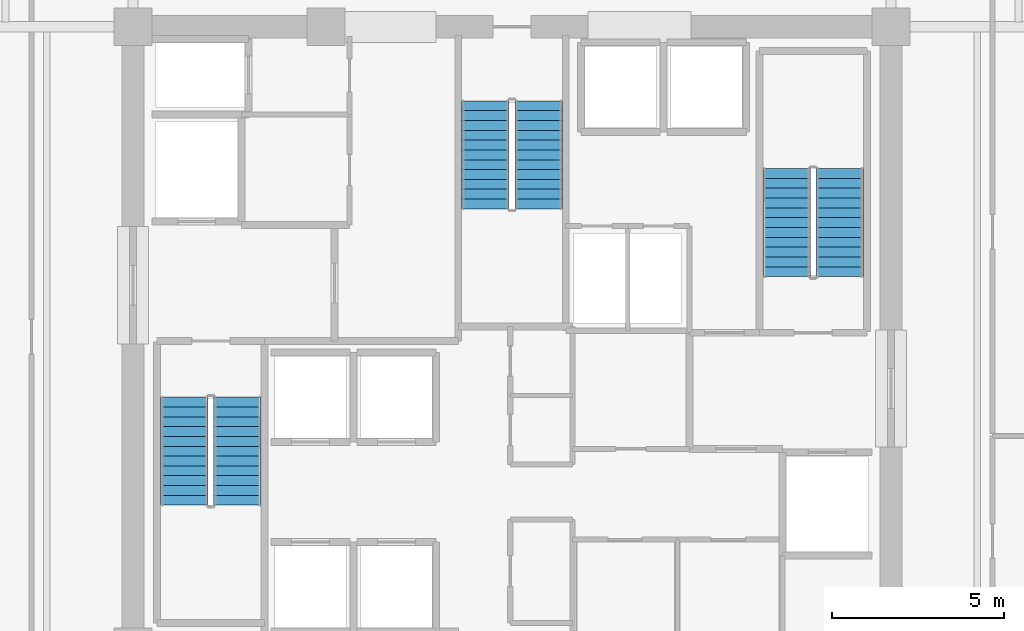
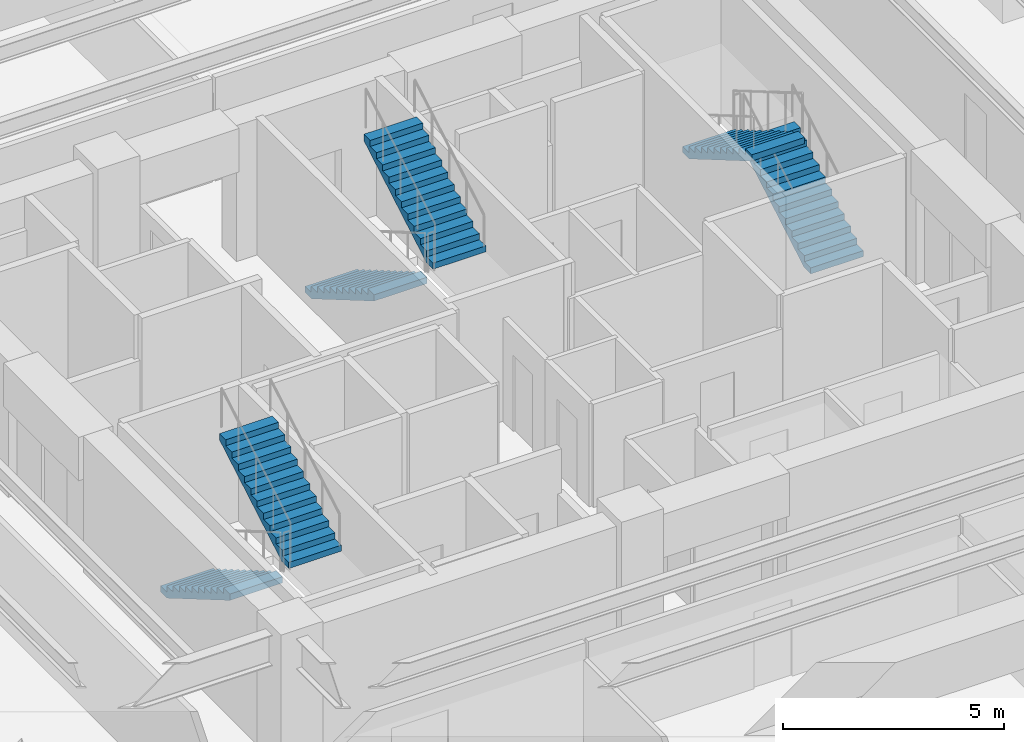
# One storey, part 16 of 20: 6 stair flights, 3 elements without a shape of their own.
"""IFC4 building model written with IfcOpenShell, lengths in metres."""

from ifc_helpers import new_model, si_unit, direction, frame, origin, place, context, subcontext, project, spatial, polyline, outline, extrude, material, type_object, element, aggregate, save


model = new_model("IFC4")

# Units and contexts
model_context = context("Model", 3, precision=1e-05, world=origin(), true_north=direction((0.0, 1.0)))
body_context = subcontext(model_context, "Body", "Model", "MODEL_VIEW")
ifc_project = project(units=[si_unit("LENGTHUNIT", "METRE"), si_unit("AREAUNIT", "SQUARE_METRE"), si_unit("VOLUMEUNIT", "CUBIC_METRE"), si_unit("PLANEANGLEUNIT", "RADIAN"), si_unit("MASSUNIT", "GRAM", prefix="KILO")], contexts=[model_context])

# Site, building, storey
site_placement = place(None, origin())
site = spatial("IfcSite", under=ifc_project, at=site_placement, CompositionType="ELEMENT")
building_placement = place(site_placement, origin())
building = spatial("IfcBuilding", under=site, at=building_placement, Name="Kovane Verandah Tower", CompositionType="ELEMENT")
storey_placement = place(building_placement, frame((0.0, 0.0, 35.60009765625)))
storey = spatial("IfcBuildingStorey", under=building, at=storey_placement, Name="L07", CompositionType="ELEMENT", Elevation=35.60009765625)

# Stair, stair flights
ifc_material = material(Name="Concrete C45/55", Category="concrete")
stair_type = type_object("IfcStairType", Name="ST-CORE-1380", PredefinedType="HALF_TURN_STAIR", material=ifc_material)
stair_1_placement = place(storey_placement, origin())
stair_1 = element("IfcStair", 1, at=stair_1_placement, inside=storey, type_object=stair_type, Name="L07 Exit Stair ST-01", PredefinedType="HALF_TURN_STAIR")
stair_flight_type = type_object("IfcStairFlightType", Name="STF-CORE-1380", PredefinedType="STRAIGHT", material=ifc_material)
stair_flight_1_placement = place(storey_placement, frame((30.489990234375, 25.75, 0.0), z_axis=(0.0, 0.0, 1.0), x_axis=(0.0, -1.0, 0.0)))
stair_flight_1 = element("IfcStairFlight", 2, at=stair_flight_1_placement, type_object=stair_flight_type, Name="ST-01 flight 1", NumberOfRisers=12, NumberOfTreads=11, PredefinedType="STRAIGHT", RiserHeight=0.166666667, TreadLength=0.285, context=body_context, shape_type="SweptSolid", body=[
    extrude(outline(polyline([(0.0, 0.0), (0.0, 0.166748046875), (0.284912109375, 0.166748046875), (0.284912109375, 0.333251953125), (0.570068359375, 0.333251953125), (0.570068359375, 0.5), (0.85498046875, 0.5), (0.85498046875, 0.666748046875), (1.139892578125, 0.666748046875), (1.139892578125, 0.833251953125), (1.425048828125, 0.833251953125), (1.425048828125, 1.0), (1.7099609375, 1.0), (1.7099609375, 1.166748046875), (1.9951171875, 1.166748046875), (1.9951171875, 1.333251953125), (2.280029296875, 1.333251953125), (2.280029296875, 1.5), (2.56494140625, 1.5), (2.56494140625, 1.666748046875), (2.85009765625, 1.666748046875), (2.85009765625, 1.833251953125), (3.135009765625, 1.833251953125), (3.135009765625, 2.0), (3.135009765625, 1.65966796875), (0.296875, 0.0), (0.0, 0.0)])), frame((0.0, 0.68994140625, 0.0), z_axis=(0.0, -1.0, 0.0), x_axis=(1.0, 0.0, 0.0)), (0.0, 0.0, 1.0), 1.3798828125),
])
stair_flight_2_placement = place(storey_placement, frame((32.030029296875, 22.614990234375, 2.0), z_axis=(0.0, 0.0, 1.0), x_axis=(0.0, 1.0, 0.0)))
stair_flight_2 = element("IfcStairFlight", 3, at=stair_flight_2_placement, type_object=stair_flight_type, Name="ST-01 flight 2", NumberOfRisers=12, NumberOfTreads=11, PredefinedType="STRAIGHT", RiserHeight=0.166666667, TreadLength=0.285, context=body_context, shape_type="SweptSolid", body=[
    extrude(outline(polyline([(0.0, 0.0), (0.0, 0.166748046875), (0.284912109375, 0.166748046875), (0.284912109375, 0.333251953125), (0.570068359375, 0.333251953125), (0.570068359375, 0.5), (0.85498046875, 0.5), (0.85498046875, 0.666748046875), (1.139892578125, 0.666748046875), (1.139892578125, 0.833251953125), (1.425048828125, 0.833251953125), (1.425048828125, 1.0), (1.7099609375, 1.0), (1.7099609375, 1.166748046875), (1.9951171875, 1.166748046875), (1.9951171875, 1.333251953125), (2.280029296875, 1.333251953125), (2.280029296875, 1.5), (2.56494140625, 1.5), (2.56494140625, 1.666748046875), (2.85009765625, 1.666748046875), (2.85009765625, 1.833251953125), (3.135009765625, 1.833251953125), (3.135009765625, 2.0), (3.135009765625, 1.65966796875), (0.296875, 0.0), (0.0, 0.0)])), frame((0.0, 0.68994140625, 0.0), z_axis=(0.0, -1.0, 0.0), x_axis=(1.0, 0.0, 0.0)), (0.0, 0.0, 1.0), 1.3798828125),
])
aggregate(stair_1, [stair_flight_1, stair_flight_2])

stair_2_placement = place(storey_placement, origin())
stair_2 = element("IfcStair", 4, at=stair_2_placement, inside=storey, type_object=stair_type, Name="L07 Exit Stair ST-02", PredefinedType="HALF_TURN_STAIR")
stair_flight_3_placement = place(storey_placement, frame((49.510009765625, 29.25, 0.0), z_axis=(0.0, 0.0, 1.0), x_axis=(0.0, 1.0, 0.0)))
stair_flight_3 = element("IfcStairFlight", 5, at=stair_flight_3_placement, type_object=stair_flight_type, Name="ST-02 flight 1", NumberOfRisers=12, NumberOfTreads=11, PredefinedType="STRAIGHT", RiserHeight=0.166666667, TreadLength=0.285, context=body_context, shape_type="SweptSolid", body=[
    extrude(outline(polyline([(0.0, 0.0), (0.0, 0.166748046875), (0.284912109375, 0.166748046875), (0.284912109375, 0.333251953125), (0.570068359375, 0.333251953125), (0.570068359375, 0.5), (0.85498046875, 0.5), (0.85498046875, 0.666748046875), (1.139892578125, 0.666748046875), (1.139892578125, 0.833251953125), (1.425048828125, 0.833251953125), (1.425048828125, 1.0), (1.7099609375, 1.0), (1.7099609375, 1.166748046875), (1.9951171875, 1.166748046875), (1.9951171875, 1.333251953125), (2.280029296875, 1.333251953125), (2.280029296875, 1.5), (2.56494140625, 1.5), (2.56494140625, 1.666748046875), (2.85009765625, 1.666748046875), (2.85009765625, 1.833251953125), (3.135009765625, 1.833251953125), (3.135009765625, 2.0), (3.135009765625, 1.65966796875), (0.296875, 0.0), (0.0, 0.0)])), frame((0.0, 0.68994140625, 0.0), z_axis=(0.0, -1.0, 0.0), x_axis=(1.0, 0.0, 0.0)), (0.0, 0.0, 1.0), 1.3798828125),
])
stair_flight_4_placement = place(storey_placement, frame((47.969970703125, 32.385009765625, 2.0), z_axis=(0.0, 0.0, 1.0), x_axis=(0.0, -1.0, 0.0)))
stair_flight_4 = element("IfcStairFlight", 6, at=stair_flight_4_placement, type_object=stair_flight_type, Name="ST-02 flight 2", NumberOfRisers=12, NumberOfTreads=11, PredefinedType="STRAIGHT", RiserHeight=0.166666667, TreadLength=0.285, context=body_context, shape_type="SweptSolid", body=[
    extrude(outline(polyline([(0.0, 0.0), (0.0, 0.166748046875), (0.284912109375, 0.166748046875), (0.284912109375, 0.333251953125), (0.570068359375, 0.333251953125), (0.570068359375, 0.5), (0.85498046875, 0.5), (0.85498046875, 0.666748046875), (1.139892578125, 0.666748046875), (1.139892578125, 0.833251953125), (1.425048828125, 0.833251953125), (1.425048828125, 1.0), (1.7099609375, 1.0), (1.7099609375, 1.166748046875), (1.9951171875, 1.166748046875), (1.9951171875, 1.333251953125), (2.280029296875, 1.333251953125), (2.280029296875, 1.5), (2.56494140625, 1.5), (2.56494140625, 1.666748046875), (2.85009765625, 1.666748046875), (2.85009765625, 1.833251953125), (3.135009765625, 1.833251953125), (3.135009765625, 2.0), (3.135009765625, 1.65966796875), (0.296875, 0.0), (0.0, 0.0)])), frame((0.0, 0.68994140625, 0.0), z_axis=(0.0, -1.0, 0.0), x_axis=(1.0, 0.0, 0.0)), (0.0, 0.0, 1.0), 1.3798828125),
])
aggregate(stair_2, [stair_flight_3, stair_flight_4])

stair_3_placement = place(storey_placement, origin())
stair_3 = element("IfcStair", 7, at=stair_3_placement, inside=storey, type_object=stair_type, Name="L07 Exit Stair ST-03", PredefinedType="HALF_TURN_STAIR")
stair_flight_5_placement = place(storey_placement, frame((39.22998046875, 34.35009765625, 0.0), z_axis=(0.0, 0.0, 1.0), x_axis=(0.0, -1.0, 0.0)))
stair_flight_5 = element("IfcStairFlight", 8, at=stair_flight_5_placement, type_object=stair_flight_type, Name="ST-03 flight 1", NumberOfRisers=12, NumberOfTreads=11, PredefinedType="STRAIGHT", RiserHeight=0.166666667, TreadLength=0.285, context=body_context, shape_type="SweptSolid", body=[
    extrude(outline(polyline([(0.0, 0.0), (0.0, 0.166748046875), (0.284912109375, 0.166748046875), (0.284912109375, 0.333251953125), (0.570068359375, 0.333251953125), (0.570068359375, 0.5), (0.85498046875, 0.5), (0.85498046875, 0.666748046875), (1.139892578125, 0.666748046875), (1.139892578125, 0.833251953125), (1.425048828125, 0.833251953125), (1.425048828125, 1.0), (1.7099609375, 1.0), (1.7099609375, 1.166748046875), (1.9951171875, 1.166748046875), (1.9951171875, 1.333251953125), (2.280029296875, 1.333251953125), (2.280029296875, 1.5), (2.56494140625, 1.5), (2.56494140625, 1.666748046875), (2.85009765625, 1.666748046875), (2.85009765625, 1.833251953125), (3.135009765625, 1.833251953125), (3.135009765625, 2.0), (3.135009765625, 1.65966796875), (0.296875, 0.0), (0.0, 0.0)])), frame((0.0, 0.68994140625, 0.0), z_axis=(0.0, -1.0, 0.0), x_axis=(1.0, 0.0, 0.0)), (0.0, 0.0, 1.0), 1.3798828125),
])
stair_flight_6_placement = place(storey_placement, frame((40.77001953125, 31.215087890625, 2.0), z_axis=(0.0, 0.0, 1.0), x_axis=(0.0, 1.0, 0.0)))
stair_flight_6 = element("IfcStairFlight", 9, at=stair_flight_6_placement, type_object=stair_flight_type, Name="ST-03 flight 2", NumberOfRisers=12, NumberOfTreads=11, PredefinedType="STRAIGHT", RiserHeight=0.166666667, TreadLength=0.285, context=body_context, shape_type="SweptSolid", body=[
    extrude(outline(polyline([(0.0, 0.0), (0.0, 0.166748046875), (0.284912109375, 0.166748046875), (0.284912109375, 0.333251953125), (0.570068359375, 0.333251953125), (0.570068359375, 0.5), (0.85498046875, 0.5), (0.85498046875, 0.666748046875), (1.139892578125, 0.666748046875), (1.139892578125, 0.833251953125), (1.425048828125, 0.833251953125), (1.425048828125, 1.0), (1.7099609375, 1.0), (1.7099609375, 1.166748046875), (1.9951171875, 1.166748046875), (1.9951171875, 1.333251953125), (2.280029296875, 1.333251953125), (2.280029296875, 1.5), (2.56494140625, 1.5), (2.56494140625, 1.666748046875), (2.85009765625, 1.666748046875), (2.85009765625, 1.833251953125), (3.135009765625, 1.833251953125), (3.135009765625, 2.0), (3.135009765625, 1.65966796875), (0.296875, 0.0), (0.0, 0.0)])), frame((0.0, 0.68994140625, 0.0), z_axis=(0.0, -1.0, 0.0), x_axis=(1.0, 0.0, 0.0)), (0.0, 0.0, 1.0), 1.3798828125),
])
aggregate(stair_3, [stair_flight_5, stair_flight_6])

save(model, "model.ifc")
